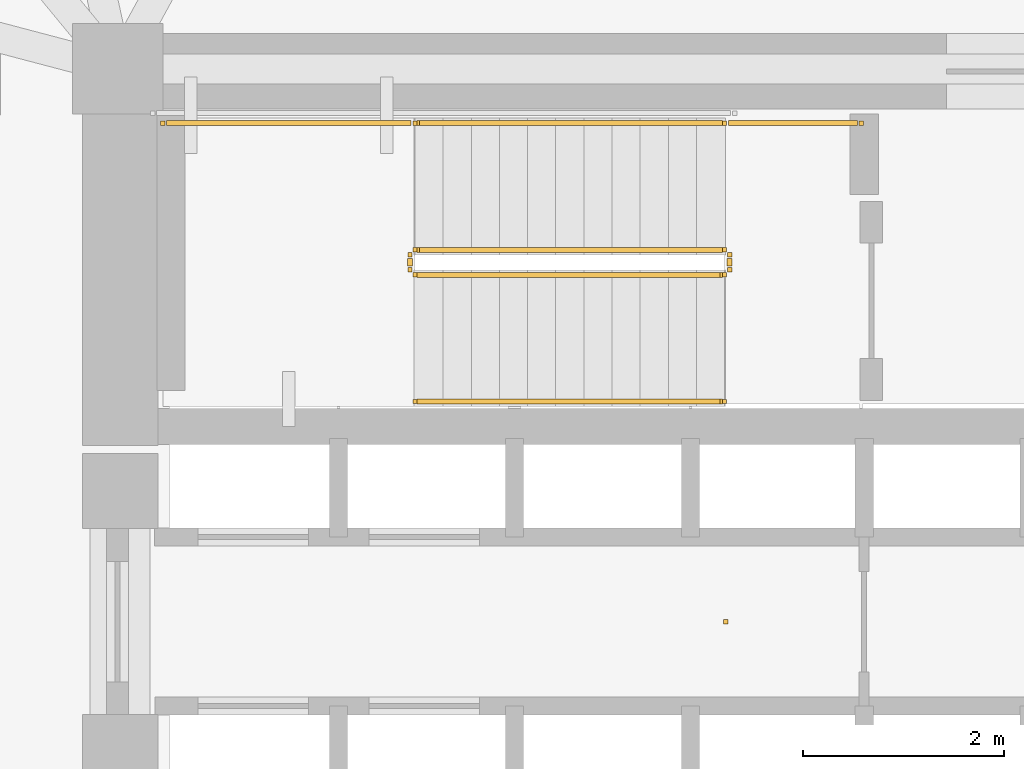
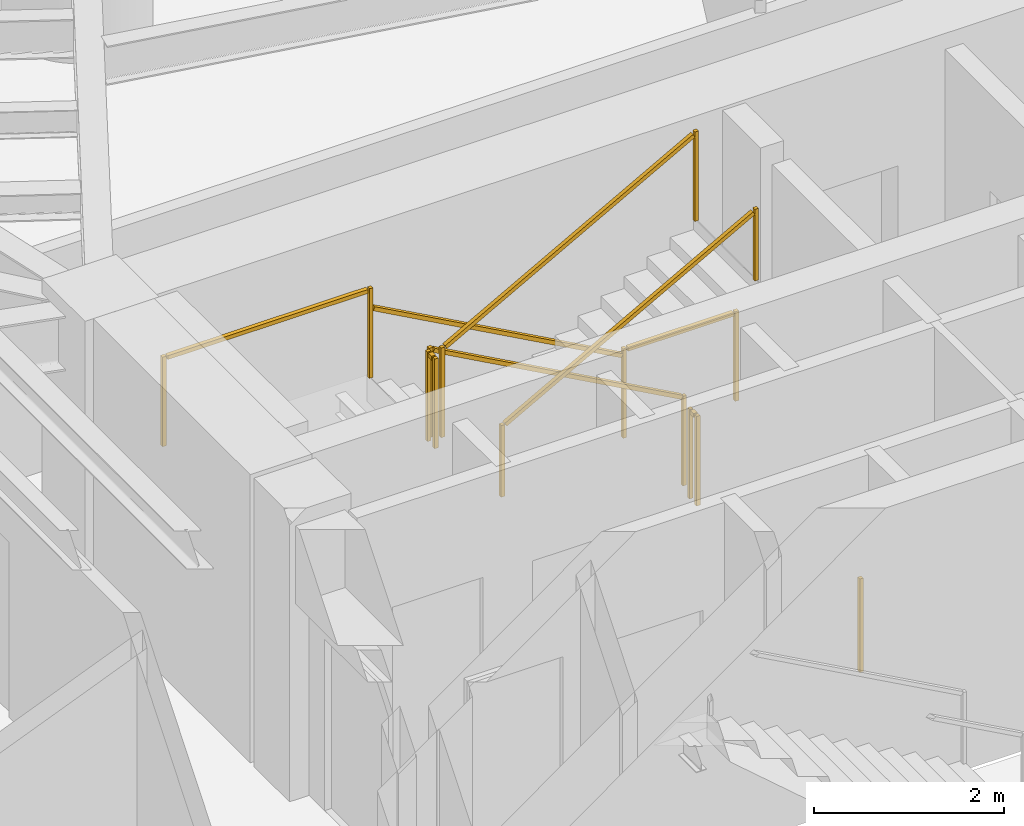
# One storey, part 9 of 10: 9 railings.
"""IFC4 building model written with IfcOpenShell, lengths in metres."""

from ifc_helpers import new_model, si_unit, direction, frame, origin, origin_2d, place, context, subcontext, project, spatial, rectangle, extrude, material, type_object, element, save


model = new_model("IFC4")

# Units and contexts
model_context = context("Model", 3, precision=1e-05, world=origin(), true_north=direction((0.0, 1.0)))
body_context = subcontext(model_context, "Body", "Model", "MODEL_VIEW")
ifc_project = project(units=[si_unit("LENGTHUNIT", "METRE"), si_unit("AREAUNIT", "SQUARE_METRE"), si_unit("VOLUMEUNIT", "CUBIC_METRE"), si_unit("PLANEANGLEUNIT", "RADIAN"), si_unit("MASSUNIT", "GRAM", prefix="KILO")], contexts=[model_context])

# Site, building, storey
site_placement = place(None, origin())
site = spatial("IfcSite", under=ifc_project, at=site_placement, CompositionType="ELEMENT")
building_placement = place(site_placement, origin())
building = spatial("IfcBuilding", under=site, at=building_placement, Name="Yunling Apex Tower", CompositionType="ELEMENT")
storey_placement = place(building_placement, frame((0.0, 0.0, 38.60009765625)))
storey = spatial("IfcBuildingStorey", under=building, at=storey_placement, Name="L11", CompositionType="ELEMENT", Elevation=38.60009765625)

# Railings
ifc_material_1 = material(Name="Bronze anodised aluminium", Category="aluminium")
railing_type_1 = type_object("IfcRailingType", Name="RL-BAL-1200", PredefinedType="BALUSTRADE", material=ifc_material_1)
railing_1_placement = place(storey_placement, origin())
element("IfcRailing", 1, at=railing_1_placement, inside=storey, type_object=railing_type_1, Name="RL-TATR-L11", PredefinedType="BALUSTRADE", context=body_context, shape_type="SweptSolid", body=[
    extrude(rectangle(XDim=0.0439453125, YDim=0.0439453125, at=origin_2d()), origin(), (0.0, 0.0, 1.0), 1.199951171875),
])
ifc_material_2 = material(Name="Steel Q355B", Category="steel")
railing_type_2 = type_object("IfcRailingType", Name="RL-GRD-1150", PredefinedType="GUARDRAIL", material=ifc_material_2)
railing_2_placement = place(storey_placement, frame((-0.010009765625, 3.699951171875, 0.154052734375)))
element("IfcRailing", 2, at=railing_2_placement, inside=storey, type_object=railing_type_2, Name="L11 ST-1 stair guard 1", PredefinedType="GUARDRAIL", context=body_context, shape_type="SweptSolid", body=[
    extrude(rectangle(XDim=0.0439453125, YDim=0.0439453125, at=origin_2d()), origin(), (0.0, 0.0, 1.0), 1.14990234375),
    extrude(rectangle(XDim=0.0439453125, YDim=0.0439453125, at=origin_2d()), frame((-3.080078125, 0.0, 1.69580078125)), (0.0, 0.0, 1.0), 1.14990234375),
    extrude(rectangle(XDim=0.050048828125, YDim=0.050048828125, at=origin_2d()), frame((-0.03369140625, 0.0, 1.143310546875), z_axis=(-0.876004717809, 0.0, 0.482302534076), x_axis=(0.0, -1.0, 0.0)), (0.0, 0.0, 1.0), 3.439453125),
])
railing_3_placement = place(storey_placement, frame((-3.139892578125, 3.64990234375, 1.849853515625)))
element("IfcRailing", 3, at=railing_3_placement, inside=storey, type_object=railing_type_2, Name="L11 ST-1 stair guard 2", PredefinedType="GUARDRAIL", context=body_context, shape_type="SweptSolid", body=[
    extrude(rectangle(XDim=0.0439453125, YDim=0.0439453125, at=origin_2d()), origin(), (0.0, 0.0, 1.0), 1.14990234375),
    extrude(rectangle(XDim=0.0439453125, YDim=0.0439453125, at=origin_2d()), frame((0.0, -0.14990234375, 0.0)), (0.0, 0.0, 1.0), 1.14990234375),
    extrude(rectangle(XDim=0.050048828125, YDim=0.050048828125, at=origin_2d()), frame((0.0, -0.038330078125, 1.125), z_axis=(0.0, -1.0, 0.0), x_axis=(1.0, 0.0, 0.0)), (0.0, 0.0, 1.0), 0.0732421875),
])
railing_4_placement = place(storey_placement, frame((-3.090087890625, 4.9599609375, 1.849853515625)))
element("IfcRailing", 4, at=railing_4_placement, inside=storey, type_object=railing_type_2, Name="L11 ST-1 stair guard 3", PredefinedType="GUARDRAIL", context=body_context, shape_type="SweptSolid", body=[
    extrude(rectangle(XDim=0.0439453125, YDim=0.0439453125, at=origin_2d()), origin(), (0.0, 0.0, 1.0), 1.14990234375),
    extrude(rectangle(XDim=0.0439453125, YDim=0.0439453125, at=origin_2d()), frame((-2.510009765625, 0.0, 0.0)), (0.0, 0.0, 1.0), 1.14990234375),
    extrude(rectangle(XDim=0.050048828125, YDim=0.050048828125, at=origin_2d()), frame((-0.038330078125, 0.0, 1.125), z_axis=(-1.0, 0.0, 0.0), x_axis=(0.0, -1.0, 0.0)), (0.0, 0.0, 1.0), 2.433349609375),
])
railing_5_placement = place(storey_placement, frame((-3.090087890625, 3.449951171875, 2.004150390625)))
element("IfcRailing", 5, at=railing_5_placement, inside=storey, type_object=railing_type_2, Name="L11 ST-1 stair guard 4", PredefinedType="GUARDRAIL", context=body_context, shape_type="SweptSolid", body=[
    extrude(rectangle(XDim=0.0439453125, YDim=0.0439453125, at=origin_2d()), origin(), (0.0, 0.0, 1.0), 1.14990234375),
    extrude(rectangle(XDim=0.0439453125, YDim=0.0439453125, at=origin_2d()), frame((3.080078125, 0.0, 1.69580078125)), (0.0, 0.0, 1.0), 1.14990234375),
    extrude(rectangle(XDim=0.050048828125, YDim=0.050048828125, at=origin_2d()), frame((0.03369140625, 0.0, 1.143310546875), z_axis=(0.876004717809, 0.0, 0.482302534076), x_axis=(0.0, 1.0, 0.0)), (0.0, 0.0, 1.0), 3.439453125),
])
railing_6_placement = place(storey_placement, frame((0.0400390625, 3.64990234375, 0.0)))
element("IfcRailing", 6, at=railing_6_placement, inside=storey, type_object=railing_type_2, Name="L11 ST-1 stair guard 5", PredefinedType="GUARDRAIL", context=body_context, shape_type="SweptSolid", body=[
    extrude(rectangle(XDim=0.0439453125, YDim=0.0439453125, at=origin_2d()), origin(), (0.0, 0.0, 1.0), 1.14990234375),
    extrude(rectangle(XDim=0.0439453125, YDim=0.0439453125, at=origin_2d()), frame((0.0, -0.14990234375, 0.0)), (0.0, 0.0, 1.0), 1.14990234375),
    extrude(rectangle(XDim=0.050048828125, YDim=0.050048828125, at=origin_2d()), frame((0.0, -0.038330078125, 1.125), z_axis=(0.0, -1.0, 0.0), x_axis=(1.0, 0.0, 0.0)), (0.0, 0.0, 1.0), 0.0732421875),
])
railing_7_placement = place(storey_placement, frame((1.35009765625, 4.9599609375, 0.0)))
element("IfcRailing", 7, at=railing_7_placement, inside=storey, type_object=railing_type_2, Name="L11 ST-1 stair guard 6", PredefinedType="GUARDRAIL", context=body_context, shape_type="SweptSolid", body=[
    extrude(rectangle(XDim=0.0439453125, YDim=0.0439453125, at=origin_2d()), origin(), (0.0, 0.0, 1.0), 1.14990234375),
    extrude(rectangle(XDim=0.0439453125, YDim=0.0439453125, at=origin_2d()), frame((-1.360107421875, 0.0, 0.0)), (0.0, 0.0, 1.0), 1.14990234375),
    extrude(rectangle(XDim=0.050048828125, YDim=0.050048828125, at=origin_2d()), frame((-0.038330078125, 0.0, 1.125), z_axis=(-1.0, 0.0, 0.0), x_axis=(0.0, -1.0, 0.0)), (0.0, 0.0, 1.0), 1.283447265625),
])
ifc_material_3 = material(Name="Silver anodised aluminium", Category="aluminium")
railing_type_3 = type_object("IfcRailingType", Name="RL-HND-900", PredefinedType="HANDRAIL", material=ifc_material_3)
railing_8_placement = place(storey_placement, frame((-0.010009765625, 4.9599609375, 0.154052734375)))
element("IfcRailing", 8, at=railing_8_placement, inside=storey, type_object=railing_type_3, Name="L11 ST-1 stair handrail 1", PredefinedType="HANDRAIL", context=body_context, shape_type="SweptSolid", body=[
    extrude(rectangle(XDim=0.0439453125, YDim=0.0439453125, at=origin_2d()), origin(), (0.0, 0.0, 1.0), 0.919921875),
    extrude(rectangle(XDim=0.0439453125, YDim=0.0439453125, at=origin_2d()), frame((-3.080078125, 0.0, 1.69580078125)), (0.0, 0.0, 1.0), 0.919921875),
    extrude(rectangle(XDim=0.050048828125, YDim=0.050048828125, at=origin_2d()), frame((-0.03369140625, 0.0, 0.913330078125), z_axis=(-0.876004717809, 0.0, 0.482302534076), x_axis=(0.0, -1.0, 0.0)), (0.0, 0.0, 1.0), 3.439453125),
])
railing_9_placement = place(storey_placement, frame((-3.090087890625, 2.18994140625, 2.004150390625)))
element("IfcRailing", 9, at=railing_9_placement, inside=storey, type_object=railing_type_3, Name="L11 ST-1 stair handrail 2", PredefinedType="HANDRAIL", context=body_context, shape_type="SweptSolid", body=[
    extrude(rectangle(XDim=0.0439453125, YDim=0.0439453125, at=origin_2d()), origin(), (0.0, 0.0, 1.0), 0.919921875),
    extrude(rectangle(XDim=0.0439453125, YDim=0.0439453125, at=origin_2d()), frame((3.080078125, 0.0, 1.69580078125)), (0.0, 0.0, 1.0), 0.919921875),
    extrude(rectangle(XDim=0.050048828125, YDim=0.050048828125, at=origin_2d()), frame((0.03369140625, 0.0, 0.913330078125), z_axis=(0.876004717809, 0.0, 0.482302534076), x_axis=(0.0, 1.0, 0.0)), (0.0, 0.0, 1.0), 3.439453125),
])

save(model, "model.ifc")
